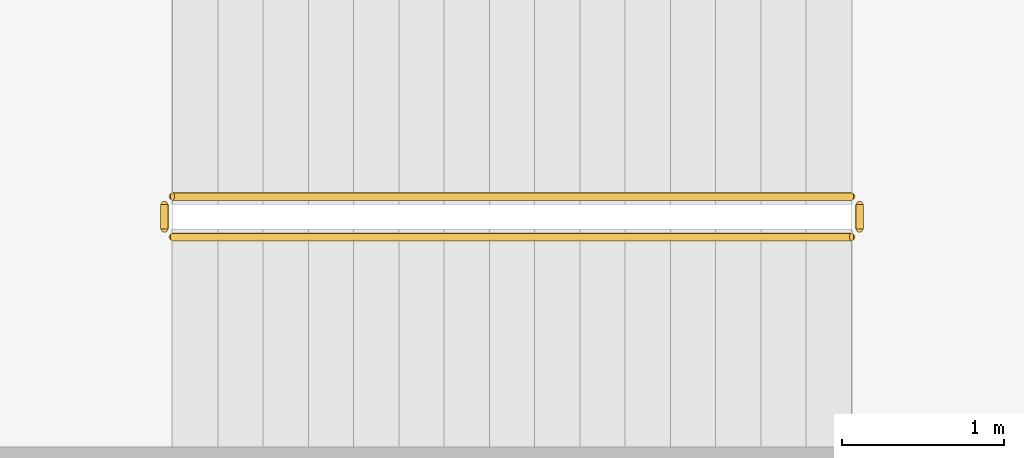
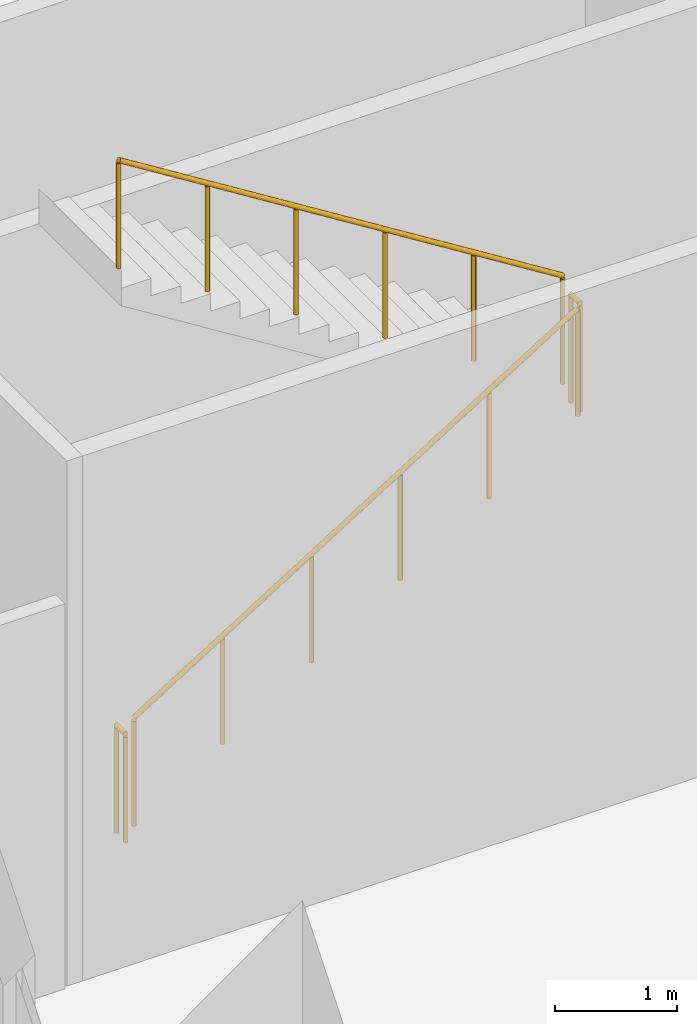
# One storey, part 14 of 19: 4 railings.
"""IFC4 building model written with IfcOpenShell, lengths in metres."""

from ifc_helpers import new_model, si_unit, direction, frame, origin, origin_2d, place, context, subcontext, project, spatial, circle, extrude, material, type_object, element, save


model = new_model("IFC4")

# Units and contexts
model_context = context("Model", 3, precision=1e-05, world=origin(), true_north=direction((0.0, 1.0)))
body_context = subcontext(model_context, "Body", "Model", "MODEL_VIEW")
ifc_project = project(units=[si_unit("LENGTHUNIT", "METRE"), si_unit("AREAUNIT", "SQUARE_METRE"), si_unit("VOLUMEUNIT", "CUBIC_METRE"), si_unit("PLANEANGLEUNIT", "RADIAN"), si_unit("MASSUNIT", "GRAM", prefix="KILO")], contexts=[model_context])

# Site, building, storey
site_placement = place(None, origin())
site = spatial("IfcSite", under=ifc_project, at=site_placement, CompositionType="ELEMENT")
building_placement = place(site_placement, origin())
building = spatial("IfcBuilding", under=site, at=building_placement, Name="Kawkab Arch Medical Tower", CompositionType="ELEMENT")
storey_placement = place(building_placement, frame((0.0, 0.0, 12.60009765625)))
storey = spatial("IfcBuildingStorey", under=building, at=storey_placement, Name="L03", CompositionType="ELEMENT", Elevation=12.60009765625)

# Railings
ifc_material = material(Name="Stainless steel", Category="steel")
railing_type = type_object("IfcRailingType", Name="Stair guard 1100", PredefinedType="GUARDRAIL", material=ifc_material)
railing_1_placement = place(storey_placement, frame((1.97509765625, -72.35009765625, 0.1748046875)))
element("IfcRailing", 1, at=railing_1_placement, inside=storey, type_object=railing_type, Name="L03 ST10 stair guard 1", PredefinedType="GUARDRAIL", context=body_context, shape_type="SweptSolid", body=[
    extrude(circle(Radius=0.02392578125, at=origin_2d()), frame((0.0, 0.0, 1.076171875), z_axis=(0.847995534698, 0.0, 0.530003370869), x_axis=(0.0, 1.0, 0.0)), (0.0, 0.0, 1.0), 4.952880859375),
    extrude(circle(Radius=0.02099609375, at=origin_2d()), origin(), (0.0, 0.0, 1.0), 1.052001953125),
    extrude(circle(Radius=0.02099609375, at=origin_2d()), frame((0.840087890625, 0.0, 0.52490234375)), (0.0, 0.0, 1.0), 1.052001953125),
    extrude(circle(Radius=0.02099609375, at=origin_2d()), frame((1.679931640625, 0.0, 1.050048828125)), (0.0, 0.0, 1.0), 1.052001953125),
    extrude(circle(Radius=0.02099609375, at=origin_2d()), frame((2.52001953125, 0.0, 1.574951171875)), (0.0, 0.0, 1.0), 1.052001953125),
    extrude(circle(Radius=0.02099609375, at=origin_2d()), frame((3.35986328125, 0.0, 2.10009765625)), (0.0, 0.0, 1.0), 1.052001953125),
    extrude(circle(Radius=0.02099609375, at=origin_2d()), frame((4.199951171875, 0.0, 2.625)), (0.0, 0.0, 1.0), 1.052001953125),
])
railing_2_placement = place(storey_placement, frame((6.22509765625, -72.300048828125, 2.7998046875)))
element("IfcRailing", 2, at=railing_2_placement, inside=storey, type_object=railing_type, Name="L03 ST10 stair guard 2", PredefinedType="GUARDRAIL", context=body_context, shape_type="SweptSolid", body=[
    extrude(circle(Radius=0.02392578125, at=origin_2d()), frame((0.0, 0.0, 1.076171875), z_axis=(0.0, 1.0, 0.0), x_axis=(-1.0, 0.0, 0.0)), (0.0, 0.0, 1.0), 0.150146484375),
    extrude(circle(Radius=0.02099609375, at=origin_2d()), origin(), (0.0, 0.0, 1.0), 1.052001953125),
    extrude(circle(Radius=0.02099609375, at=origin_2d()), frame((0.0, 0.150146484375, 0.0)), (0.0, 0.0, 1.0), 1.052001953125),
])
railing_3_placement = place(storey_placement, frame((6.175048828125, -72.10009765625, 2.974853515625)))
element("IfcRailing", 3, at=railing_3_placement, inside=storey, type_object=railing_type, Name="L03 ST10 stair guard 3", PredefinedType="GUARDRAIL", context=body_context, shape_type="SweptSolid", body=[
    extrude(circle(Radius=0.02392578125, at=origin_2d()), frame((0.0, 0.0, 1.076171875), z_axis=(-0.847995534698, 0.0, 0.530003370869), x_axis=(0.0, -1.0, 0.0)), (0.0, 0.0, 1.0), 4.952880859375),
    extrude(circle(Radius=0.02099609375, at=origin_2d()), origin(), (0.0, 0.0, 1.0), 1.052001953125),
    extrude(circle(Radius=0.02099609375, at=origin_2d()), frame((-0.840087890625, 0.0, 0.52490234375)), (0.0, 0.0, 1.0), 1.052001953125),
    extrude(circle(Radius=0.02099609375, at=origin_2d()), frame((-1.679931640625, 0.0, 1.050048828125)), (0.0, 0.0, 1.0), 1.052001953125),
    extrude(circle(Radius=0.02099609375, at=origin_2d()), frame((-2.52001953125, 0.0, 1.574951171875)), (0.0, 0.0, 1.0), 1.052001953125),
    extrude(circle(Radius=0.02099609375, at=origin_2d()), frame((-3.35986328125, 0.0, 2.10009765625)), (0.0, 0.0, 1.0), 1.052001953125),
    extrude(circle(Radius=0.02099609375, at=origin_2d()), frame((-4.199951171875, 0.0, 2.625)), (0.0, 0.0, 1.0), 1.052001953125),
])
railing_4_placement = place(storey_placement, frame((1.925048828125, -72.300048828125, 0.0)))
element("IfcRailing", 4, at=railing_4_placement, inside=storey, type_object=railing_type, Name="L03 ST10 stair guard 4", PredefinedType="GUARDRAIL", context=body_context, shape_type="SweptSolid", body=[
    extrude(circle(Radius=0.02392578125, at=origin_2d()), frame((0.0, 0.0, 1.076171875), z_axis=(0.0, 1.0, 0.0), x_axis=(-1.0, 0.0, 0.0)), (0.0, 0.0, 1.0), 0.150146484375),
    extrude(circle(Radius=0.02099609375, at=origin_2d()), origin(), (0.0, 0.0, 1.0), 1.052001953125),
    extrude(circle(Radius=0.02099609375, at=origin_2d()), frame((0.0, 0.150146484375, 0.0)), (0.0, 0.0, 1.0), 1.052001953125),
])

save(model, "model.ifc")
